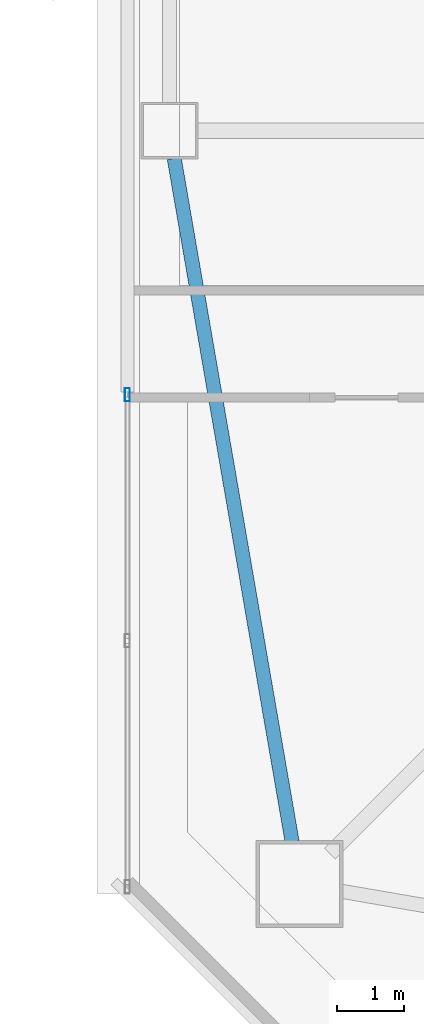
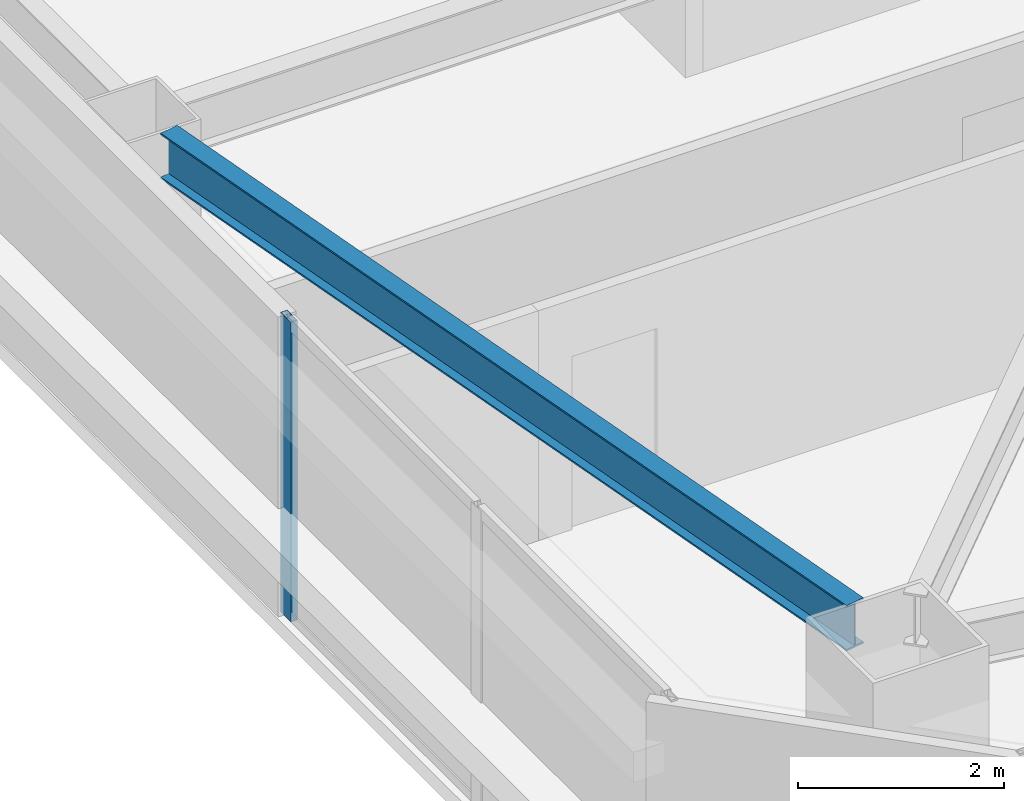
# One storey, part 4 of 48: 1 beam, 1 member, 1 element without a shape of its own.
"""IFC4 building model written with IfcOpenShell, lengths in metres."""

from ifc_helpers import new_model, si_unit, direction, frame, origin, origin_2d, place, context, subcontext, project, spatial, hollow_rectangle, i_section, extrude, material, material_profile, profile_set, type_object, element, aggregate, save


model = new_model("IFC4")

# Units and contexts
model_context = context("Model", 3, precision=1e-05, world=origin(), true_north=direction((0.0, 1.0)))
body_context = subcontext(model_context, "Body", "Model", "MODEL_VIEW")
ifc_project = project(units=[si_unit("LENGTHUNIT", "METRE"), si_unit("AREAUNIT", "SQUARE_METRE"), si_unit("VOLUMEUNIT", "CUBIC_METRE"), si_unit("PLANEANGLEUNIT", "RADIAN"), si_unit("MASSUNIT", "GRAM", prefix="KILO")], contexts=[model_context])

# Site, building, storey
site_placement = place(None, origin())
site = spatial("IfcSite", under=ifc_project, at=site_placement, CompositionType="ELEMENT")
building_placement = place(site_placement, origin())
building = spatial("IfcBuilding", under=site, at=building_placement, Name="Tashvorn Skyway Center", CompositionType="ELEMENT")
storey_placement = place(building_placement, frame((0.0, 0.0, 125.050048828125)))
storey = spatial("IfcBuildingStorey", under=building, at=storey_placement, Name="L33", CompositionType="ELEMENT", Elevation=125.050048828125)

# Beam
ifc_material_1 = material(Name="Steel ASTM A992 Grade 50", Category="steel")
ifc_material_profile_1 = material_profile(ifc_material_1, i_section(OverallWidth=0.2109375, OverallDepth=0.5390625, WebThickness=0.01171875, FlangeThickness=0.018798828125, at=origin_2d()), Name="W21X73")
ifc_profile_set_1 = profile_set([ifc_material_profile_1], Name="Steel ASTM A992 Grade 50")
beam_type = type_object("IfcBeamType", Name="BM-SPANDREL-W21X73", PredefinedType="SPANDREL", material=ifc_profile_set_1)
beam_placement = place(storey_placement, frame((23.42138671875, 26.18603515625, 3.100341796875), z_axis=(0.170067250846, -0.985432458462, 0.0), x_axis=(0.985432458462, 0.170067250846, 0.0)))
element("IfcBeam", 1, at=beam_placement, inside=storey, type_object=beam_type, Name="Tower 1 L33 Spandrel Beam 12", PredefinedType="SPANDREL", context=body_context, shape_type="SweptSolid", body=[
    extrude(i_section(OverallWidth=0.2109375, OverallDepth=0.5390625, WebThickness=0.01171875, FlangeThickness=0.018798828125, at=origin_2d()), origin(), (0.0, 0.0, 1.0), 10.402099609375),
])

# Curtain wall, member
ifc_material_2 = material(Name="Thermally broken bronze-anodized aluminium 6063-T6", Category="aluminium")
curtain_wall_type = type_object("IfcCurtainWallType", Name="CW-CW-Z3", PredefinedType="NOTDEFINED", material=ifc_material_2)
curtain_wall_placement = place(storey_placement, origin())
curtain_wall = element("IfcCurtainWall", 2, at=curtain_wall_placement, inside=storey, type_object=curtain_wall_type, Name="Tower 1 L33 West Unitised Curtain Wall Glazing Group 1", PredefinedType="NOTDEFINED")
ifc_material_profile_2 = material_profile(ifc_material_2, hollow_rectangle(XDim=0.074951171875, YDim=0.199951171875, WallThickness=0.00439453125, at=origin_2d()), Name="ALU-MULL-75x200")
ifc_profile_set_2 = profile_set([ifc_material_profile_2], Name="Thermally broken bronze-anodized aluminium 6063-T6")
member_type = type_object("IfcMemberType", Name="CWM-CW-Z3", PredefinedType="MULLION", material=ifc_profile_set_2)
member_placement = place(storey_placement, frame((22.719970703125, 22.640380859375, 0.0), z_axis=(0.0, 0.0, 1.0), x_axis=(-1.0, 0.0, 0.0)))
member = element("IfcMember", 3, at=member_placement, type_object=member_type, Name="CW-Z3 mullion 3", PredefinedType="MULLION", context=body_context, shape_type="SweptSolid", body=[
    extrude(hollow_rectangle(XDim=0.074951171875, YDim=0.199951171875, WallThickness=0.00439453125, at=origin_2d()), origin(), (0.0, 0.0, 1.0), 3.550048828125),
])
aggregate(curtain_wall, [member])

save(model, "model.ifc")
